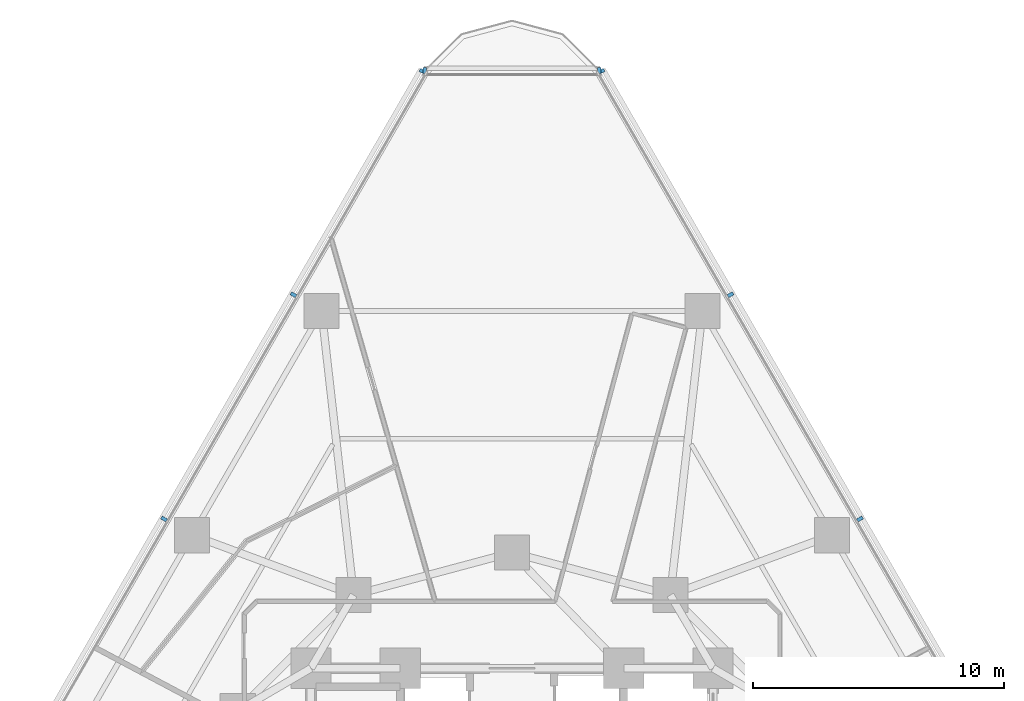
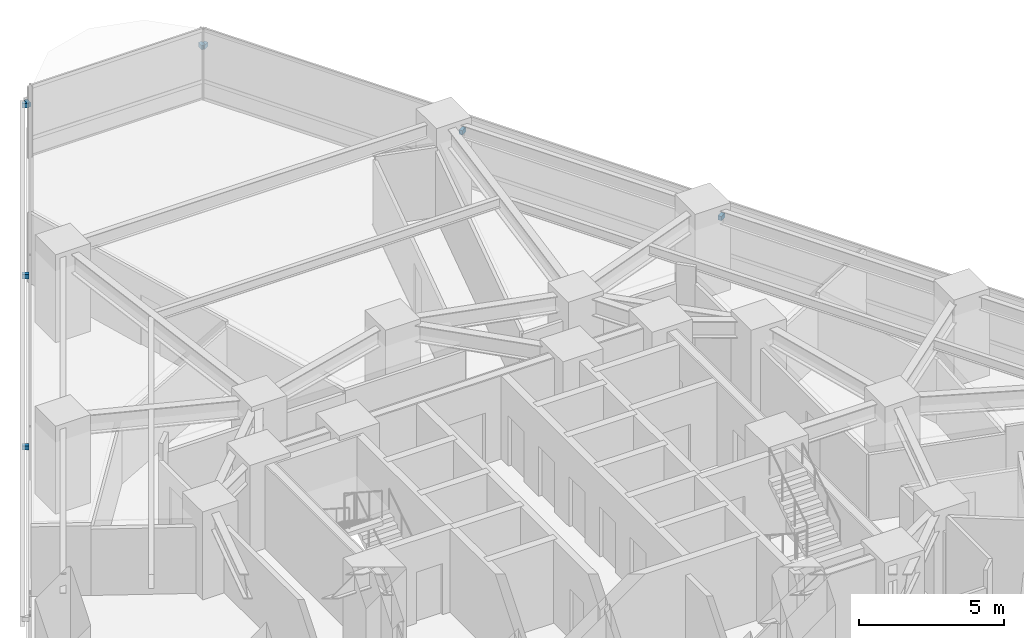
# One storey, part 12 of 16: 8 discrete accessories.
"""IFC4 building model written with IfcOpenShell, lengths in metres."""

from ifc_helpers import new_model, si_unit, direction, frame, origin, origin_2d, place, context, subcontext, project, spatial, rectangle, extrude, material, type_object, element, save


model = new_model("IFC4")

# Units and contexts
model_context = context("Model", 3, precision=1e-05, world=origin(), true_north=direction((0.0, 1.0)))
body_context = subcontext(model_context, "Body", "Model", "MODEL_VIEW")
ifc_project = project(units=[si_unit("LENGTHUNIT", "METRE"), si_unit("AREAUNIT", "SQUARE_METRE"), si_unit("VOLUMEUNIT", "CUBIC_METRE"), si_unit("PLANEANGLEUNIT", "RADIAN"), si_unit("MASSUNIT", "GRAM", prefix="KILO")], contexts=[model_context])

# Site, building, storey
site_placement = place(None, origin())
site = spatial("IfcSite", under=ifc_project, at=site_placement, CompositionType="ELEMENT")
building_placement = place(site_placement, origin())
building = spatial("IfcBuilding", under=site, at=building_placement, Name="Terralouvre Media Tower", CompositionType="ELEMENT")
storey_placement = place(building_placement, frame((0.0, 0.0, 44.5)))
storey = spatial("IfcBuildingStorey", under=building, at=storey_placement, Name="L10", CompositionType="ELEMENT", Elevation=44.5)

# Discrete accessories
ifc_material = material(Name="Anodised extruded aluminium 6063-T6", Category="aluminium")
discrete_accessory_type = type_object("IfcDiscreteAccessoryType", Name="Mullion Stand-Off Baguette Fixing Bracket BK-01", PredefinedType="BRACKET", material=ifc_material)
for number, where, z_axis, x_axis, name in (
    (1, (13.842041015625, 13.9384765625, 2.07421875), (0.0, 0.0, 1.0), (-0.499999985671, 0.866025412057, 0.0), "CW-L10-F1 Baguette Outrigger Bracket 1.04"),
    (2, (8.692138671875, 22.8583984375, 2.07421875), (0.0, 0.0, 1.0), (-0.499999985671, 0.866025412057, 0.0), "CW-L10-F1 Baguette Outrigger Bracket 1.05"),
    (3, (3.560791015625, 31.74609375, 2.07421875), (0.0, 0.0, 1.0), (-0.499999985671, 0.866025412057, 0.0), "CW-L10-F1 Baguette Outrigger Bracket 1.06"),
    (4, (-3.560791015625, 31.74609375, 2.07421875), (0.0, 0.0, 1.0), (-0.499999985671, -0.866025412057, 0.0), "CW-L10-F2 Baguette Outrigger Bracket 1.01"),
    (5, (-8.692138671875, 22.8583984375, 2.07421875), (0.0, 0.0, 1.0), (-0.499999985671, -0.866025412057, 0.0), "CW-L10-F2 Baguette Outrigger Bracket 1.02"),
    (6, (-13.842041015625, 13.9384765625, 2.07421875), (0.0, 0.0, 1.0), (-0.499999985671, -0.866025412057, 0.0), "CW-L10-F2 Baguette Outrigger Bracket 1.03"),
    (7, (3.469970703125, 31.778564453125, 2.07421875), (0.0, 0.0, 1.0), (-1.0, 0.0, 0.0), "CW-L10-C2 Baguette Outrigger Bracket 1.01"),
    (8, (-3.469970703125, 31.778564453125, 2.07421875), (0.0, 0.0, 1.0), (-1.0, 0.0, 0.0), "CW-L10-C2 Baguette Outrigger Bracket 1.02"),
):
    element("IfcDiscreteAccessory", number, at=place(storey_placement, frame(where, z_axis=z_axis, x_axis=x_axis)), inside=storey, type_object=discrete_accessory_type, Name=name, PredefinedType="BRACKET", context=body_context, shape_type="SweptSolid", body=[
        extrude(rectangle(XDim=0.139892578125, YDim=0.239990234375, at=origin_2d()), origin(), (0.0, 0.0, 1.0), 0.179931640625),
    ])

save(model, "model.ifc")
